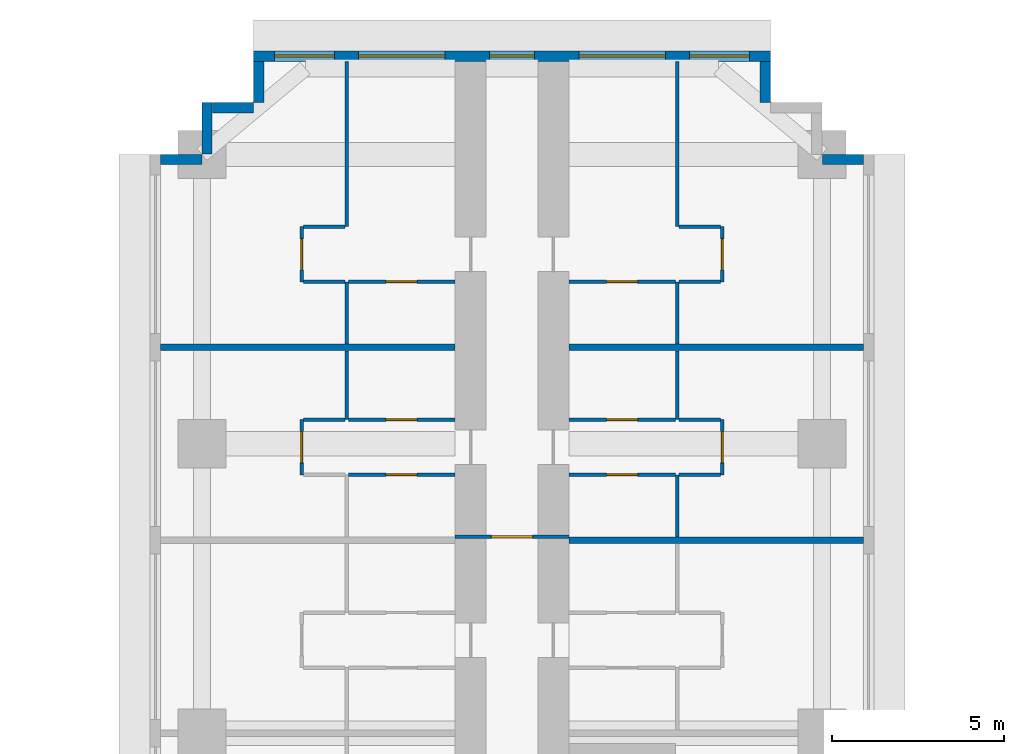
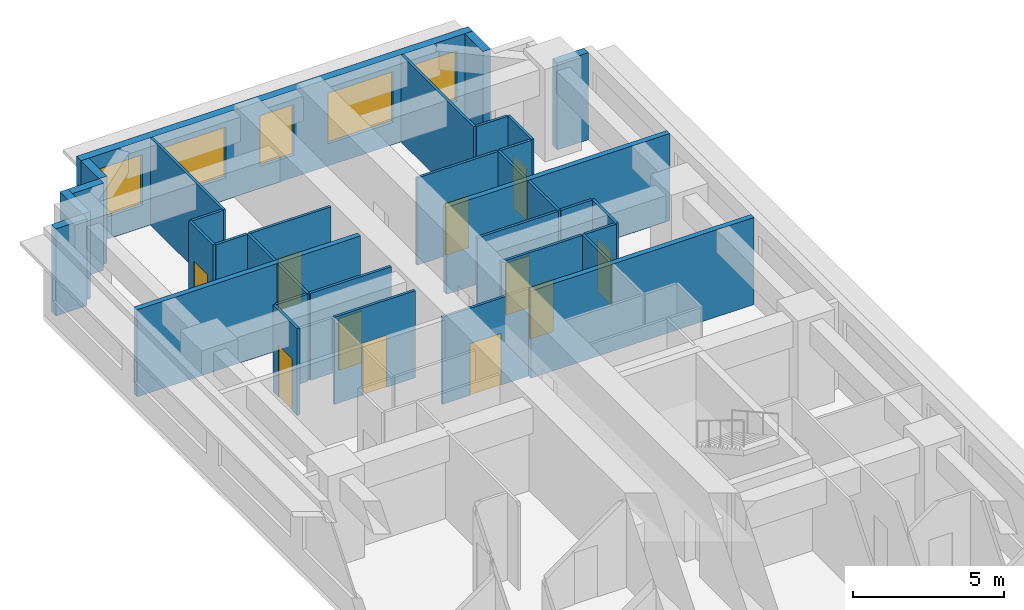
# One storey, part 14 of 16: 35 walls, 11 doors, 5 windows, 16 openings.
"""IFC4 building model written with IfcOpenShell, lengths in metres."""

from ifc_helpers import new_model, si_unit, direction, frame, frame_2d, origin, place, context, subcontext, project, spatial, rectangle, extrude, material, layer, layer_set, type_object, element, fill, save


model = new_model("IFC4")

# Units and contexts
model_context = context("Model", 3, precision=1e-05, world=origin(), true_north=direction((0.0, 1.0)))
body_context = subcontext(model_context, "Body", "Model", "MODEL_VIEW")
ifc_project = project(units=[si_unit("LENGTHUNIT", "METRE"), si_unit("AREAUNIT", "SQUARE_METRE"), si_unit("VOLUMEUNIT", "CUBIC_METRE"), si_unit("PLANEANGLEUNIT", "RADIAN"), si_unit("MASSUNIT", "GRAM", prefix="KILO")], contexts=[model_context])

# Site, building, storey
site_placement = place(None, origin())
site = spatial("IfcSite", under=ifc_project, at=site_placement, CompositionType="ELEMENT")
building_placement = place(site_placement, origin())
building = spatial("IfcBuilding", under=site, at=building_placement, Name="Impinga Residences", CompositionType="ELEMENT")
storey_placement = place(building_placement, frame((0.0, 0.0, 56.0)))
storey = spatial("IfcBuildingStorey", under=building, at=storey_placement, Name="L13", CompositionType="ELEMENT", Elevation=56.0)

# Wall, opening, door
ifc_material_1 = material(Name="Concrete blockwork", Category="masonry")
ifc_layer_1 = layer(ifc_material_1, 0.10009765625)
ifc_layer_set_1 = layer_set([ifc_layer_1], Name="CP1 core room partition, blockwork 100")
wall_type_1 = type_object("IfcWallType", Name="CP1 core room partition, blockwork 100", PredefinedType="PARTITIONING", material=ifc_layer_set_1)
wall_1_placement = place(storey_placement, frame((-1.64990234375, 33.93798828125, 0.0), z_axis=(0.0, 0.0, 1.0), x_axis=(1.0, 0.0, 0.0)))
wall_1 = element("IfcWall", 1, at=wall_1_placement, inside=storey, type_object=wall_type_1, Name="Core room partition, blockwork L13:N:SCR", PredefinedType="PARTITIONING", context=body_context, shape_type="SweptSolid", body=[
    extrude(rectangle(XDim=3.2998046875, YDim=0.10009765625, at=frame_2d((1.64990234375, 0.0))), origin(), (0.0, 0.0, 1.0), 3.530029296875),
])
opening_1_placement = place(wall_1_placement, frame((1.050048828125, 0.0, 0.0)))
opening_1 = element("IfcOpeningElement", 2, at=opening_1_placement, cuts=wall_1, Name="Opening D3", PredefinedType="OPENING", context=body_context, shape_type="SweptSolid", body=[
    extrude(rectangle(XDim=1.199951171875, YDim=2.10009765625, at=frame_2d((0.60009765625, 1.050048828125))), frame((0.0, 0.06005859375, 0.0), z_axis=(0.0, -1.0, 0.0), x_axis=(1.0, 0.0, 0.0)), (0.0, 0.0, 1.0), 0.1201171875),
])
ifc_material_2 = material(Name="Timber door set", Category="wood")
door_type_1 = type_object("IfcDoorType", Name="D3 room door, leaf and a half 1200x2100", OperationType="DOUBLE_SWING_LEFT", PredefinedType="DOOR", material=ifc_material_2)
door_1_placement = place(opening_1_placement, origin())
door_1 = element("IfcDoor", 3, at=door_1_placement, inside=storey, type_object=door_type_1, Name="Corridor smoke door N", OperationType="DOUBLE_SWING_LEFT", OverallHeight=2.10009765625, OverallWidth=1.199951171875, PredefinedType="DOOR", context=body_context, shape_type="SweptSolid", body=[
    extrude(rectangle(XDim=1.199951171875, YDim=2.10009765625, at=frame_2d((0.60009765625, 1.050048828125))), frame((0.0, 0.02490234375, 0.0), z_axis=(0.0, -1.0, 0.0), x_axis=(1.0, 0.0, 0.0)), (0.0, 0.0, 1.0), 0.050048828125),
])
fill(opening_1, door_1)

# Walls
ifc_material_3 = material(Name="Terracotta rainscreen on blockwork", Category="masonry")
ifc_layer_2 = layer(ifc_material_3, 0.300048828125)
ifc_layer_set_2 = layer_set([ifc_layer_2], Name="EW1 external wall, terracotta rainscreen on blockwork 300")
wall_type_2 = type_object("IfcWallType", Name="EW1 external wall, terracotta rainscreen on blockwork 300", PredefinedType="SOLIDWALL", material=ifc_layer_set_2)
wall_2_placement = place(storey_placement, frame((-10.199951171875, 44.881591796875, 0.0), z_axis=(0.0, 0.0, 1.0), x_axis=(1.0, 0.0, 0.0)))
element("IfcWall", 4, at=wall_2_placement, inside=storey, type_object=wall_type_2, Name="External wall EW1 L13", PredefinedType="SOLIDWALL", context=body_context, shape_type="SweptSolid", body=[
    extrude(rectangle(XDim=1.199951171875, YDim=0.300048828125, at=frame_2d((0.60009765625, 0.0))), origin(), (0.0, 0.0, 1.0), 3.530029296875),
])
wall_3_placement = place(storey_placement, frame((-8.85009765625, 45.03662109375, 0.0), z_axis=(0.0, 0.0, 1.0), x_axis=(0.0, 1.0, 0.0)))
element("IfcWall", 5, at=wall_3_placement, inside=storey, type_object=wall_type_2, Name="External wall EW1 L13", PredefinedType="SOLIDWALL", context=body_context, shape_type="SweptSolid", body=[
    extrude(rectangle(XDim=1.494873046875, YDim=0.300048828125, at=frame_2d((0.74755859375, 0.0))), origin(), (0.0, 0.0, 1.0), 3.530029296875),
])
wall_4_placement = place(storey_placement, frame((-8.699951171875, 46.381591796875, 0.0), z_axis=(0.0, 0.0, 1.0), x_axis=(1.0, 0.0, 0.0)))
element("IfcWall", 6, at=wall_4_placement, inside=storey, type_object=wall_type_2, Name="External wall EW1 L13", PredefinedType="SOLIDWALL", context=body_context, shape_type="SweptSolid", body=[
    extrude(rectangle(XDim=1.199951171875, YDim=0.300048828125, at=frame_2d((0.60009765625, 0.0))), origin(), (0.0, 0.0, 1.0), 3.530029296875),
])
wall_5_placement = place(storey_placement, frame((-7.35009765625, 46.53662109375, 0.0), z_axis=(0.0, 0.0, 1.0), x_axis=(0.0, 1.0, 0.0)))
element("IfcWall", 7, at=wall_5_placement, inside=storey, type_object=wall_type_2, Name="External wall EW1 L13", PredefinedType="SOLIDWALL", context=body_context, shape_type="SweptSolid", body=[
    extrude(rectangle(XDim=1.19482421875, YDim=0.300048828125, at=frame_2d((0.597412109375, 0.0))), origin(), (0.0, 0.0, 1.0), 3.530029296875),
])

# Wall, openings, windows
wall_6_placement = place(storey_placement, frame((-7.5, 47.881591796875, 0.0), z_axis=(0.0, 0.0, 1.0), x_axis=(1.0, 0.0, 0.0)))
wall_6 = element("IfcWall", 8, at=wall_6_placement, inside=storey, type_object=wall_type_2, Name="External wall EW1 L13", PredefinedType="SOLIDWALL", context=body_context, shape_type="SweptSolid", body=[
    extrude(rectangle(XDim=15.0, YDim=0.300048828125, at=frame_2d((7.5, 0.0))), origin(), (0.0, 0.0, 1.0), 3.530029296875),
])
opening_2_placement = place(wall_6_placement, frame((0.60009765625, 0.0, 0.89990234375)))
opening_2 = element("IfcOpeningElement", 9, at=opening_2_placement, cuts=wall_6, Name="Opening W1", PredefinedType="OPENING", context=body_context, shape_type="SweptSolid", body=[
    extrude(rectangle(XDim=1.75, YDim=2.050048828125, at=frame_2d((0.875, 1.02490234375))), frame((0.0, 0.159912109375, 0.0), z_axis=(0.0, -1.0, 0.0), x_axis=(1.0, 0.0, 0.0)), (0.0, 0.0, 1.0), 0.320068359375),
])
opening_3_placement = place(wall_6_placement, frame((3.050048828125, 0.0, 0.89990234375)))
opening_3 = element("IfcOpeningElement", 10, at=opening_3_placement, cuts=wall_6, Name="Opening W2", PredefinedType="OPENING", context=body_context, shape_type="SweptSolid", body=[
    extrude(rectangle(XDim=2.5, YDim=2.050048828125, at=frame_2d((1.25, 1.02490234375))), frame((0.0, 0.159912109375, 0.0), z_axis=(0.0, -1.0, 0.0), x_axis=(1.0, 0.0, 0.0)), (0.0, 0.0, 1.0), 0.320068359375),
])
opening_4_placement = place(wall_6_placement, frame((6.85009765625, 0.0, 0.89990234375)))
opening_4 = element("IfcOpeningElement", 11, at=opening_4_placement, cuts=wall_6, Name="Opening WE1", PredefinedType="OPENING", context=body_context, shape_type="SweptSolid", body=[
    extrude(rectangle(XDim=1.300048828125, YDim=2.050048828125, at=frame_2d((0.64990234375, 1.02490234375))), frame((0.0, 0.159912109375, 0.0), z_axis=(0.0, -1.0, 0.0), x_axis=(1.0, 0.0, 0.0)), (0.0, 0.0, 1.0), 0.320068359375),
])
opening_5_placement = place(wall_6_placement, frame((9.449951171875, 0.0, 0.89990234375)))
opening_5 = element("IfcOpeningElement", 12, at=opening_5_placement, cuts=wall_6, Name="Opening W2", PredefinedType="OPENING", context=body_context, shape_type="SweptSolid", body=[
    extrude(rectangle(XDim=2.5, YDim=2.050048828125, at=frame_2d((1.25, 1.02490234375))), frame((0.0, 0.159912109375, 0.0), z_axis=(0.0, -1.0, 0.0), x_axis=(1.0, 0.0, 0.0)), (0.0, 0.0, 1.0), 0.320068359375),
])
opening_6_placement = place(wall_6_placement, frame((12.64990234375, 0.0, 0.89990234375)))
opening_6 = element("IfcOpeningElement", 13, at=opening_6_placement, cuts=wall_6, Name="Opening W1", PredefinedType="OPENING", context=body_context, shape_type="SweptSolid", body=[
    extrude(rectangle(XDim=1.75, YDim=2.050048828125, at=frame_2d((0.875, 1.02490234375))), frame((0.0, 0.159912109375, 0.0), z_axis=(0.0, -1.0, 0.0), x_axis=(1.0, 0.0, 0.0)), (0.0, 0.0, 1.0), 0.320068359375),
])
ifc_material_4 = material(Name="Aluminium window, clear double glazing", Category="aluminium")
window_type_1 = type_object("IfcWindowType", Name="W1 ribbon window 1750x2050", PartitioningType="SINGLE_PANEL", PredefinedType="WINDOW", material=ifc_material_4)
window_1_placement = place(opening_2_placement, origin())
window_1 = element("IfcWindow", 14, at=window_1_placement, inside=storey, type_object=window_type_1, Name="Window L13", OverallHeight=2.050048828125, OverallWidth=1.75, PartitioningType="SINGLE_PANEL", PredefinedType="WINDOW", context=body_context, shape_type="SweptSolid", body=[
    extrude(rectangle(XDim=1.75, YDim=2.050048828125, at=frame_2d((0.875, 1.02490234375))), frame((0.0, 0.030029296875, 0.0), z_axis=(0.0, -1.0, 0.0), x_axis=(1.0, 0.0, 0.0)), (0.0, 0.0, 1.0), 0.06005859375),
])
fill(opening_2, window_1)
window_2_placement = place(opening_6_placement, origin())
window_2 = element("IfcWindow", 15, at=window_2_placement, inside=storey, type_object=window_type_1, Name="Window L13", OverallHeight=2.050048828125, OverallWidth=1.75, PartitioningType="SINGLE_PANEL", PredefinedType="WINDOW", context=body_context, shape_type="SweptSolid", body=[
    extrude(rectangle(XDim=1.75, YDim=2.050048828125, at=frame_2d((0.875, 1.02490234375))), frame((0.0, 0.030029296875, 0.0), z_axis=(0.0, -1.0, 0.0), x_axis=(1.0, 0.0, 0.0)), (0.0, 0.0, 1.0), 0.06005859375),
])
fill(opening_6, window_2)
window_type_2 = type_object("IfcWindowType", Name="W2 ribbon window 2500x2050", PartitioningType="SINGLE_PANEL", PredefinedType="WINDOW", material=ifc_material_4)
window_3_placement = place(opening_3_placement, origin())
window_3 = element("IfcWindow", 16, at=window_3_placement, inside=storey, type_object=window_type_2, Name="Window L13", OverallHeight=2.050048828125, OverallWidth=2.5, PartitioningType="SINGLE_PANEL", PredefinedType="WINDOW", context=body_context, shape_type="SweptSolid", body=[
    extrude(rectangle(XDim=2.5, YDim=2.050048828125, at=frame_2d((1.25, 1.02490234375))), frame((0.0, 0.030029296875, 0.0), z_axis=(0.0, -1.0, 0.0), x_axis=(1.0, 0.0, 0.0)), (0.0, 0.0, 1.0), 0.06005859375),
])
fill(opening_3, window_3)
window_4_placement = place(opening_5_placement, origin())
window_4 = element("IfcWindow", 17, at=window_4_placement, inside=storey, type_object=window_type_2, Name="Window L13", OverallHeight=2.050048828125, OverallWidth=2.5, PartitioningType="SINGLE_PANEL", PredefinedType="WINDOW", context=body_context, shape_type="SweptSolid", body=[
    extrude(rectangle(XDim=2.5, YDim=2.050048828125, at=frame_2d((1.25, 1.02490234375))), frame((0.0, 0.030029296875, 0.0), z_axis=(0.0, -1.0, 0.0), x_axis=(1.0, 0.0, 0.0)), (0.0, 0.0, 1.0), 0.06005859375),
])
fill(opening_5, window_4)
window_type_3 = type_object("IfcWindowType", Name="WE1 corridor window 1300x2050", PartitioningType="SINGLE_PANEL", PredefinedType="WINDOW", material=ifc_material_4)
window_5_placement = place(opening_4_placement, origin())
window_5 = element("IfcWindow", 18, at=window_5_placement, inside=storey, type_object=window_type_3, Name="Window L13", OverallHeight=2.050048828125, OverallWidth=1.300048828125, PartitioningType="SINGLE_PANEL", PredefinedType="WINDOW", context=body_context, shape_type="SweptSolid", body=[
    extrude(rectangle(XDim=1.300048828125, YDim=2.050048828125, at=frame_2d((0.64990234375, 1.02490234375))), frame((0.0, 0.030029296875, 0.0), z_axis=(0.0, -1.0, 0.0), x_axis=(1.0, 0.0, 0.0)), (0.0, 0.0, 1.0), 0.06005859375),
])
fill(opening_4, window_5)

# Walls
wall_7_placement = place(storey_placement, frame((7.35009765625, 47.7314453125, 0.0), z_axis=(0.0, 0.0, 1.0), x_axis=(0.0, -1.0, 0.0)))
element("IfcWall", 19, at=wall_7_placement, inside=storey, type_object=wall_type_2, Name="External wall EW1 L13", PredefinedType="SOLIDWALL", context=body_context, shape_type="SweptSolid", body=[
    extrude(rectangle(XDim=1.19482421875, YDim=0.300048828125, at=frame_2d((0.597412109375, 0.0))), origin(), (0.0, 0.0, 1.0), 3.530029296875),
])
wall_8_placement = place(storey_placement, frame((9.0048828125, 44.881591796875, 0.0), z_axis=(0.0, 0.0, 1.0), x_axis=(1.0, 0.0, 0.0)))
element("IfcWall", 20, at=wall_8_placement, inside=storey, type_object=wall_type_2, Name="External wall EW1 L13", PredefinedType="SOLIDWALL", context=body_context, shape_type="SweptSolid", body=[
    extrude(rectangle(XDim=1.195068359375, YDim=0.300048828125, at=frame_2d((0.59765625, 0.0))), origin(), (0.0, 0.0, 1.0), 3.530029296875),
])
ifc_material_5 = material(Name="Gypsum board on steel studs", Category="steel")
ifc_layer_3 = layer(ifc_material_5, 0.10009765625)
ifc_layer_set_3 = layer_set([ifc_layer_3], Name="Gypsum board on steel studs")
wall_type_3 = type_object("IfcWallType", Name="IP1 partition 100", PredefinedType="PARTITIONING", material=ifc_layer_set_3)
wall_9_placement = place(storey_placement, frame((-4.800048828125, 37.33154296875, 0.0), z_axis=(0.0, 0.0, 1.0), x_axis=(0.0, 1.0, 0.0)))
element("IfcWall", 21, at=wall_9_placement, inside=storey, type_object=wall_type_3, Name="Partition L13-NA4:DIV1", PredefinedType="PARTITIONING", context=body_context, shape_type="SweptSolid", body=[
    extrude(rectangle(XDim=2.0, YDim=0.10009765625, at=frame_2d((1.0, 0.0))), origin(), (0.0, 0.0, 1.0), 3.530029296875),
])

# Wall, opening, door
wall_10_placement = place(storey_placement, frame((-6.10009765625, 35.7314453125, 0.0), z_axis=(0.0, 0.0, 1.0), x_axis=(0.0, 1.0, 0.0)))
wall_10 = element("IfcWall", 22, at=wall_10_placement, inside=storey, type_object=wall_type_3, Name="Partition L13-NA4:STRIP", PredefinedType="PARTITIONING", context=body_context, shape_type="SweptSolid", body=[
    extrude(rectangle(XDim=1.60009765625, YDim=0.10009765625, at=frame_2d((0.800048828125, 0.0))), origin(), (0.0, 0.0, 1.0), 3.530029296875),
])
opening_7_placement = place(wall_10_placement, frame((0.35009765625, 0.0, 0.0)))
opening_7 = element("IfcOpeningElement", 23, at=opening_7_placement, cuts=wall_10, Name="Opening D2", PredefinedType="OPENING", context=body_context, shape_type="SweptSolid", body=[
    extrude(rectangle(XDim=0.89990234375, YDim=2.10009765625, at=frame_2d((0.449951171875, 1.050048828125))), frame((0.0, 0.06005859375, 0.0), z_axis=(0.0, -1.0, 0.0), x_axis=(1.0, 0.0, 0.0)), (0.0, 0.0, 1.0), 0.1201171875),
])
door_type_2 = type_object("IfcDoorType", Name="D2 internal door 900x2100", OperationType="SINGLE_SWING_LEFT", PredefinedType="DOOR", material=ifc_material_2)
door_2_placement = place(opening_7_placement, origin())
door_2 = element("IfcDoor", 24, at=door_2_placement, inside=storey, type_object=door_type_2, Name="Apartment L13-NA4 room door", OperationType="SINGLE_SWING_LEFT", OverallHeight=2.10009765625, OverallWidth=0.89990234375, PredefinedType="DOOR", context=body_context, shape_type="SweptSolid", body=[
    extrude(rectangle(XDim=0.89990234375, YDim=2.10009765625, at=frame_2d((0.449951171875, 1.050048828125))), frame((0.0, 0.02490234375, 0.0), z_axis=(0.0, -1.0, 0.0), x_axis=(1.0, 0.0, 0.0)), (0.0, 0.0, 1.0), 0.050048828125),
])
fill(opening_7, door_2)

# Wall
wall_11_placement = place(storey_placement, frame((-4.85009765625, 37.33154296875, 0.0), z_axis=(0.0, 0.0, 1.0), x_axis=(-1.0, 0.0, 0.0)))
element("IfcWall", 25, at=wall_11_placement, inside=storey, type_object=wall_type_3, Name="Partition L13-NA4:SE1", PredefinedType="PARTITIONING", context=body_context, shape_type="SweptSolid", body=[
    extrude(rectangle(XDim=1.199951171875, YDim=0.10009765625, at=frame_2d((0.60009765625, 0.0))), origin(), (0.0, 0.0, 1.0), 3.530029296875),
])

# Wall, opening, door
wall_12_placement = place(storey_placement, frame((-1.64990234375, 35.7314453125, 0.0), z_axis=(0.0, 0.0, 1.0), x_axis=(-1.0, 0.0, 0.0)))
wall_12 = element("IfcWall", 26, at=wall_12_placement, inside=storey, type_object=wall_type_3, Name="Partition L13-NA4:IB1", PredefinedType="PARTITIONING", context=body_context, shape_type="SweptSolid", body=[
    extrude(rectangle(XDim=3.10009765625, YDim=0.10009765625, at=frame_2d((1.550048828125, 0.0))), origin(), (0.0, 0.0, 1.0), 3.530029296875),
])
opening_8_placement = place(wall_12_placement, frame((1.10009765625, 0.0, 0.0)))
opening_8 = element("IfcOpeningElement", 27, at=opening_8_placement, cuts=wall_12, Name="Opening D2", PredefinedType="OPENING", context=body_context, shape_type="SweptSolid", body=[
    extrude(rectangle(XDim=0.89990234375, YDim=2.10009765625, at=frame_2d((0.449951171875, 1.050048828125))), frame((0.0, 0.06005859375, 0.0), z_axis=(0.0, -1.0, 0.0), x_axis=(1.0, 0.0, 0.0)), (0.0, 0.0, 1.0), 0.1201171875),
])
door_3_placement = place(opening_8_placement, origin())
door_3 = element("IfcDoor", 28, at=door_3_placement, inside=storey, type_object=door_type_2, Name="Apartment L13-NA4 bathroom door", OperationType="SINGLE_SWING_LEFT", OverallHeight=2.10009765625, OverallWidth=0.89990234375, PredefinedType="DOOR", context=body_context, shape_type="SweptSolid", body=[
    extrude(rectangle(XDim=0.89990234375, YDim=2.10009765625, at=frame_2d((0.449951171875, 1.050048828125))), frame((0.0, 0.02490234375, 0.0), z_axis=(0.0, -1.0, 0.0), x_axis=(1.0, 0.0, 0.0)), (0.0, 0.0, 1.0), 0.050048828125),
])
fill(opening_8, door_3)

wall_13_placement = place(storey_placement, frame((-1.64990234375, 37.33154296875, 0.0), z_axis=(0.0, 0.0, 1.0), x_axis=(-1.0, 0.0, 0.0)))
wall_13 = element("IfcWall", 29, at=wall_13_placement, inside=storey, type_object=wall_type_3, Name="Partition L13-NA4:IB2", PredefinedType="PARTITIONING", context=body_context, shape_type="SweptSolid", body=[
    extrude(rectangle(XDim=3.10009765625, YDim=0.10009765625, at=frame_2d((1.550048828125, 0.0))), origin(), (0.0, 0.0, 1.0), 3.530029296875),
])
opening_9_placement = place(wall_13_placement, frame((1.10009765625, 0.0, 0.0)))
opening_9 = element("IfcOpeningElement", 30, at=opening_9_placement, cuts=wall_13, Name="Opening D2", PredefinedType="OPENING", context=body_context, shape_type="SweptSolid", body=[
    extrude(rectangle(XDim=0.89990234375, YDim=2.10009765625, at=frame_2d((0.449951171875, 1.050048828125))), frame((0.0, 0.06005859375, 0.0), z_axis=(0.0, -1.0, 0.0), x_axis=(1.0, 0.0, 0.0)), (0.0, 0.0, 1.0), 0.1201171875),
])
door_4_placement = place(opening_9_placement, origin())
door_4 = element("IfcDoor", 31, at=door_4_placement, inside=storey, type_object=door_type_2, Name="Apartment L13-NA4 WC door", OperationType="SINGLE_SWING_LEFT", OverallHeight=2.10009765625, OverallWidth=0.89990234375, PredefinedType="DOOR", context=body_context, shape_type="SweptSolid", body=[
    extrude(rectangle(XDim=0.89990234375, YDim=2.10009765625, at=frame_2d((0.449951171875, 1.050048828125))), frame((0.0, 0.02490234375, 0.0), z_axis=(0.0, -1.0, 0.0), x_axis=(1.0, 0.0, 0.0)), (0.0, 0.0, 1.0), 0.050048828125),
])
fill(opening_9, door_4)

# Walls
wall_14_placement = place(storey_placement, frame((-4.800048828125, 39.531494140625, 0.0), z_axis=(0.0, 0.0, 1.0), x_axis=(0.0, 1.0, 0.0)))
element("IfcWall", 32, at=wall_14_placement, inside=storey, type_object=wall_type_3, Name="Partition L13-NA5:DIV0", PredefinedType="PARTITIONING", context=body_context, shape_type="SweptSolid", body=[
    extrude(rectangle(XDim=1.800048828125, YDim=0.10009765625, at=frame_2d((0.89990234375, 0.0))), origin(), (0.0, 0.0, 1.0), 3.530029296875),
])
wall_15_placement = place(storey_placement, frame((-4.800048828125, 42.931640625, 0.0), z_axis=(0.0, 0.0, 1.0), x_axis=(0.0, 1.0, 0.0)))
element("IfcWall", 33, at=wall_15_placement, inside=storey, type_object=wall_type_3, Name="Partition L13-NA5:DIV1", PredefinedType="PARTITIONING", context=body_context, shape_type="SweptSolid", body=[
    extrude(rectangle(XDim=4.7998046875, YDim=0.10009765625, at=frame_2d((2.39990234375, 0.0))), origin(), (0.0, 0.0, 1.0), 3.530029296875),
])

# Wall, opening, door
wall_16_placement = place(storey_placement, frame((-6.10009765625, 41.33154296875, 0.0), z_axis=(0.0, 0.0, 1.0), x_axis=(0.0, 1.0, 0.0)))
wall_16 = element("IfcWall", 34, at=wall_16_placement, inside=storey, type_object=wall_type_3, Name="Partition L13-NA5:STRIP", PredefinedType="PARTITIONING", context=body_context, shape_type="SweptSolid", body=[
    extrude(rectangle(XDim=1.60009765625, YDim=0.10009765625, at=frame_2d((0.800048828125, 0.0))), origin(), (0.0, 0.0, 1.0), 3.530029296875),
])
opening_10_placement = place(wall_16_placement, frame((0.35009765625, 0.0, 0.0)))
opening_10 = element("IfcOpeningElement", 35, at=opening_10_placement, cuts=wall_16, Name="Opening D2", PredefinedType="OPENING", context=body_context, shape_type="SweptSolid", body=[
    extrude(rectangle(XDim=0.89990234375, YDim=2.10009765625, at=frame_2d((0.449951171875, 1.050048828125))), frame((0.0, 0.06005859375, 0.0), z_axis=(0.0, -1.0, 0.0), x_axis=(1.0, 0.0, 0.0)), (0.0, 0.0, 1.0), 0.1201171875),
])
door_5_placement = place(opening_10_placement, origin())
door_5 = element("IfcDoor", 36, at=door_5_placement, inside=storey, type_object=door_type_2, Name="Apartment L13-NA5 room door", OperationType="SINGLE_SWING_LEFT", OverallHeight=2.10009765625, OverallWidth=0.89990234375, PredefinedType="DOOR", context=body_context, shape_type="SweptSolid", body=[
    extrude(rectangle(XDim=0.89990234375, YDim=2.10009765625, at=frame_2d((0.449951171875, 1.050048828125))), frame((0.0, 0.02490234375, 0.0), z_axis=(0.0, -1.0, 0.0), x_axis=(1.0, 0.0, 0.0)), (0.0, 0.0, 1.0), 0.050048828125),
])
fill(opening_10, door_5)

# Walls
for number, where, z_axis, x_axis, name in (
    (37, (-4.85009765625, 41.33154296875, 0.0), (0.0, 0.0, 1.0), (-1.0, 0.0, 0.0), "Partition L13-NA5:SE0"),
    (38, (-4.85009765625, 42.931640625, 0.0), (0.0, 0.0, 1.0), (-1.0, 0.0, 0.0), "Partition L13-NA5:SE1"),
):
    element("IfcWall", number, at=place(storey_placement, frame(where, z_axis=z_axis, x_axis=x_axis)), inside=storey, type_object=wall_type_3, Name=name, PredefinedType="PARTITIONING", context=body_context, shape_type="SweptSolid", body=[
        extrude(rectangle(XDim=1.199951171875, YDim=0.10009765625, at=frame_2d((0.60009765625, 0.0))), origin(), (0.0, 0.0, 1.0), 3.530029296875),
    ])

# Wall, opening, door
wall_17_placement = place(storey_placement, frame((-1.64990234375, 41.33154296875, 0.0), z_axis=(0.0, 0.0, 1.0), x_axis=(-1.0, 0.0, 0.0)))
wall_17 = element("IfcWall", 39, at=wall_17_placement, inside=storey, type_object=wall_type_3, Name="Partition L13-NA5:IB1", PredefinedType="PARTITIONING", context=body_context, shape_type="SweptSolid", body=[
    extrude(rectangle(XDim=3.10009765625, YDim=0.10009765625, at=frame_2d((1.550048828125, 0.0))), origin(), (0.0, 0.0, 1.0), 3.530029296875),
])
opening_11_placement = place(wall_17_placement, frame((1.10009765625, 0.0, 0.0)))
opening_11 = element("IfcOpeningElement", 40, at=opening_11_placement, cuts=wall_17, Name="Opening D2", PredefinedType="OPENING", context=body_context, shape_type="SweptSolid", body=[
    extrude(rectangle(XDim=0.89990234375, YDim=2.10009765625, at=frame_2d((0.449951171875, 1.050048828125))), frame((0.0, 0.06005859375, 0.0), z_axis=(0.0, -1.0, 0.0), x_axis=(1.0, 0.0, 0.0)), (0.0, 0.0, 1.0), 0.1201171875),
])
door_6_placement = place(opening_11_placement, origin())
door_6 = element("IfcDoor", 41, at=door_6_placement, inside=storey, type_object=door_type_2, Name="Apartment L13-NA5 bathroom door", OperationType="SINGLE_SWING_LEFT", OverallHeight=2.10009765625, OverallWidth=0.89990234375, PredefinedType="DOOR", context=body_context, shape_type="SweptSolid", body=[
    extrude(rectangle(XDim=0.89990234375, YDim=2.10009765625, at=frame_2d((0.449951171875, 1.050048828125))), frame((0.0, 0.02490234375, 0.0), z_axis=(0.0, -1.0, 0.0), x_axis=(1.0, 0.0, 0.0)), (0.0, 0.0, 1.0), 0.050048828125),
])
fill(opening_11, door_6)

# Walls
wall_18_placement = place(storey_placement, frame((4.800048828125, 33.931640625, 0.0), z_axis=(0.0, 0.0, 1.0), x_axis=(0.0, 1.0, 0.0)))
element("IfcWall", 42, at=wall_18_placement, inside=storey, type_object=wall_type_3, Name="Partition L13-NF3:DIV0", PredefinedType="PARTITIONING", context=body_context, shape_type="SweptSolid", body=[
    extrude(rectangle(XDim=1.7998046875, YDim=0.10009765625, at=frame_2d((0.89990234375, 0.0))), origin(), (0.0, 0.0, 1.0), 3.530029296875),
])
wall_19_placement = place(storey_placement, frame((4.800048828125, 37.33154296875, 0.0), z_axis=(0.0, 0.0, 1.0), x_axis=(0.0, 1.0, 0.0)))
element("IfcWall", 43, at=wall_19_placement, inside=storey, type_object=wall_type_3, Name="Partition L13-NF3:DIV1", PredefinedType="PARTITIONING", context=body_context, shape_type="SweptSolid", body=[
    extrude(rectangle(XDim=2.0, YDim=0.10009765625, at=frame_2d((1.0, 0.0))), origin(), (0.0, 0.0, 1.0), 3.530029296875),
])

# Wall, opening, door
wall_20_placement = place(storey_placement, frame((6.10009765625, 35.7314453125, 0.0), z_axis=(0.0, 0.0, 1.0), x_axis=(0.0, 1.0, 0.0)))
wall_20 = element("IfcWall", 44, at=wall_20_placement, inside=storey, type_object=wall_type_3, Name="Partition L13-NF3:STRIP", PredefinedType="PARTITIONING", context=body_context, shape_type="SweptSolid", body=[
    extrude(rectangle(XDim=1.60009765625, YDim=0.10009765625, at=frame_2d((0.800048828125, 0.0))), origin(), (0.0, 0.0, 1.0), 3.530029296875),
])
opening_12_placement = place(wall_20_placement, frame((0.35009765625, 0.0, 0.0)))
opening_12 = element("IfcOpeningElement", 45, at=opening_12_placement, cuts=wall_20, Name="Opening D2", PredefinedType="OPENING", context=body_context, shape_type="SweptSolid", body=[
    extrude(rectangle(XDim=0.89990234375, YDim=2.10009765625, at=frame_2d((0.449951171875, 1.050048828125))), frame((0.0, 0.06005859375, 0.0), z_axis=(0.0, -1.0, 0.0), x_axis=(1.0, 0.0, 0.0)), (0.0, 0.0, 1.0), 0.1201171875),
])
door_7_placement = place(opening_12_placement, origin())
door_7 = element("IfcDoor", 46, at=door_7_placement, inside=storey, type_object=door_type_2, Name="Apartment L13-NF3 room door", OperationType="SINGLE_SWING_LEFT", OverallHeight=2.10009765625, OverallWidth=0.89990234375, PredefinedType="DOOR", context=body_context, shape_type="SweptSolid", body=[
    extrude(rectangle(XDim=0.89990234375, YDim=2.10009765625, at=frame_2d((0.449951171875, 1.050048828125))), frame((0.0, 0.02490234375, 0.0), z_axis=(0.0, -1.0, 0.0), x_axis=(1.0, 0.0, 0.0)), (0.0, 0.0, 1.0), 0.050048828125),
])
fill(opening_12, door_7)

# Walls
for number, where, z_axis, x_axis, name in (
    (47, (4.85009765625, 35.7314453125, 0.0), (0.0, 0.0, 1.0), (1.0, 0.0, 0.0), "Partition L13-NF3:SE0"),
    (48, (4.85009765625, 37.33154296875, 0.0), (0.0, 0.0, 1.0), (1.0, 0.0, 0.0), "Partition L13-NF3:SE1"),
):
    element("IfcWall", number, at=place(storey_placement, frame(where, z_axis=z_axis, x_axis=x_axis)), inside=storey, type_object=wall_type_3, Name=name, PredefinedType="PARTITIONING", context=body_context, shape_type="SweptSolid", body=[
        extrude(rectangle(XDim=1.199951171875, YDim=0.10009765625, at=frame_2d((0.60009765625, 0.0))), origin(), (0.0, 0.0, 1.0), 3.530029296875),
    ])

# Wall, opening, door
wall_21_placement = place(storey_placement, frame((1.64990234375, 35.7314453125, 0.0), z_axis=(0.0, 0.0, 1.0), x_axis=(1.0, 0.0, 0.0)))
wall_21 = element("IfcWall", 49, at=wall_21_placement, inside=storey, type_object=wall_type_3, Name="Partition L13-NF3:IB1", PredefinedType="PARTITIONING", context=body_context, shape_type="SweptSolid", body=[
    extrude(rectangle(XDim=3.10009765625, YDim=0.10009765625, at=frame_2d((1.550048828125, 0.0))), origin(), (0.0, 0.0, 1.0), 3.530029296875),
])
opening_13_placement = place(wall_21_placement, frame((1.10009765625, 0.0, 0.0)))
opening_13 = element("IfcOpeningElement", 50, at=opening_13_placement, cuts=wall_21, Name="Opening D2", PredefinedType="OPENING", context=body_context, shape_type="SweptSolid", body=[
    extrude(rectangle(XDim=0.89990234375, YDim=2.10009765625, at=frame_2d((0.449951171875, 1.050048828125))), frame((0.0, 0.06005859375, 0.0), z_axis=(0.0, -1.0, 0.0), x_axis=(1.0, 0.0, 0.0)), (0.0, 0.0, 1.0), 0.1201171875),
])
door_8_placement = place(opening_13_placement, origin())
door_8 = element("IfcDoor", 51, at=door_8_placement, inside=storey, type_object=door_type_2, Name="Apartment L13-NF3 bathroom door", OperationType="SINGLE_SWING_LEFT", OverallHeight=2.10009765625, OverallWidth=0.89990234375, PredefinedType="DOOR", context=body_context, shape_type="SweptSolid", body=[
    extrude(rectangle(XDim=0.89990234375, YDim=2.10009765625, at=frame_2d((0.449951171875, 1.050048828125))), frame((0.0, 0.02490234375, 0.0), z_axis=(0.0, -1.0, 0.0), x_axis=(1.0, 0.0, 0.0)), (0.0, 0.0, 1.0), 0.050048828125),
])
fill(opening_13, door_8)

wall_22_placement = place(storey_placement, frame((1.64990234375, 37.33154296875, 0.0), z_axis=(0.0, 0.0, 1.0), x_axis=(1.0, 0.0, 0.0)))
wall_22 = element("IfcWall", 52, at=wall_22_placement, inside=storey, type_object=wall_type_3, Name="Partition L13-NF3:IB2", PredefinedType="PARTITIONING", context=body_context, shape_type="SweptSolid", body=[
    extrude(rectangle(XDim=3.10009765625, YDim=0.10009765625, at=frame_2d((1.550048828125, 0.0))), origin(), (0.0, 0.0, 1.0), 3.530029296875),
])
opening_14_placement = place(wall_22_placement, frame((1.10009765625, 0.0, 0.0)))
opening_14 = element("IfcOpeningElement", 53, at=opening_14_placement, cuts=wall_22, Name="Opening D2", PredefinedType="OPENING", context=body_context, shape_type="SweptSolid", body=[
    extrude(rectangle(XDim=0.89990234375, YDim=2.10009765625, at=frame_2d((0.449951171875, 1.050048828125))), frame((0.0, 0.06005859375, 0.0), z_axis=(0.0, -1.0, 0.0), x_axis=(1.0, 0.0, 0.0)), (0.0, 0.0, 1.0), 0.1201171875),
])
door_9_placement = place(opening_14_placement, origin())
door_9 = element("IfcDoor", 54, at=door_9_placement, inside=storey, type_object=door_type_2, Name="Apartment L13-NF3 WC door", OperationType="SINGLE_SWING_LEFT", OverallHeight=2.10009765625, OverallWidth=0.89990234375, PredefinedType="DOOR", context=body_context, shape_type="SweptSolid", body=[
    extrude(rectangle(XDim=0.89990234375, YDim=2.10009765625, at=frame_2d((0.449951171875, 1.050048828125))), frame((0.0, 0.02490234375, 0.0), z_axis=(0.0, -1.0, 0.0), x_axis=(1.0, 0.0, 0.0)), (0.0, 0.0, 1.0), 0.050048828125),
])
fill(opening_14, door_9)

# Walls
wall_23_placement = place(storey_placement, frame((4.800048828125, 39.531494140625, 0.0), z_axis=(0.0, 0.0, 1.0), x_axis=(0.0, 1.0, 0.0)))
element("IfcWall", 55, at=wall_23_placement, inside=storey, type_object=wall_type_3, Name="Partition L13-NF4:DIV0", PredefinedType="PARTITIONING", context=body_context, shape_type="SweptSolid", body=[
    extrude(rectangle(XDim=1.800048828125, YDim=0.10009765625, at=frame_2d((0.89990234375, 0.0))), origin(), (0.0, 0.0, 1.0), 3.530029296875),
])
wall_24_placement = place(storey_placement, frame((4.800048828125, 42.931640625, 0.0), z_axis=(0.0, 0.0, 1.0), x_axis=(0.0, 1.0, 0.0)))
element("IfcWall", 56, at=wall_24_placement, inside=storey, type_object=wall_type_3, Name="Partition L13-NF4:DIV1", PredefinedType="PARTITIONING", context=body_context, shape_type="SweptSolid", body=[
    extrude(rectangle(XDim=4.7998046875, YDim=0.10009765625, at=frame_2d((2.39990234375, 0.0))), origin(), (0.0, 0.0, 1.0), 3.530029296875),
])

# Wall, opening, door
wall_25_placement = place(storey_placement, frame((6.10009765625, 41.33154296875, 0.0), z_axis=(0.0, 0.0, 1.0), x_axis=(0.0, 1.0, 0.0)))
wall_25 = element("IfcWall", 57, at=wall_25_placement, inside=storey, type_object=wall_type_3, Name="Partition L13-NF4:STRIP", PredefinedType="PARTITIONING", context=body_context, shape_type="SweptSolid", body=[
    extrude(rectangle(XDim=1.60009765625, YDim=0.10009765625, at=frame_2d((0.800048828125, 0.0))), origin(), (0.0, 0.0, 1.0), 3.530029296875),
])
opening_15_placement = place(wall_25_placement, frame((0.35009765625, 0.0, 0.0)))
opening_15 = element("IfcOpeningElement", 58, at=opening_15_placement, cuts=wall_25, Name="Opening D2", PredefinedType="OPENING", context=body_context, shape_type="SweptSolid", body=[
    extrude(rectangle(XDim=0.89990234375, YDim=2.10009765625, at=frame_2d((0.449951171875, 1.050048828125))), frame((0.0, 0.06005859375, 0.0), z_axis=(0.0, -1.0, 0.0), x_axis=(1.0, 0.0, 0.0)), (0.0, 0.0, 1.0), 0.1201171875),
])
door_10_placement = place(opening_15_placement, origin())
door_10 = element("IfcDoor", 59, at=door_10_placement, inside=storey, type_object=door_type_2, Name="Apartment L13-NF4 room door", OperationType="SINGLE_SWING_LEFT", OverallHeight=2.10009765625, OverallWidth=0.89990234375, PredefinedType="DOOR", context=body_context, shape_type="SweptSolid", body=[
    extrude(rectangle(XDim=0.89990234375, YDim=2.10009765625, at=frame_2d((0.449951171875, 1.050048828125))), frame((0.0, 0.02490234375, 0.0), z_axis=(0.0, -1.0, 0.0), x_axis=(1.0, 0.0, 0.0)), (0.0, 0.0, 1.0), 0.050048828125),
])
fill(opening_15, door_10)

# Walls
for number, where, z_axis, x_axis, name in (
    (60, (4.85009765625, 41.33154296875, 0.0), (0.0, 0.0, 1.0), (1.0, 0.0, 0.0), "Partition L13-NF4:SE0"),
    (61, (4.85009765625, 42.931640625, 0.0), (0.0, 0.0, 1.0), (1.0, 0.0, 0.0), "Partition L13-NF4:SE1"),
):
    element("IfcWall", number, at=place(storey_placement, frame(where, z_axis=z_axis, x_axis=x_axis)), inside=storey, type_object=wall_type_3, Name=name, PredefinedType="PARTITIONING", context=body_context, shape_type="SweptSolid", body=[
        extrude(rectangle(XDim=1.199951171875, YDim=0.10009765625, at=frame_2d((0.60009765625, 0.0))), origin(), (0.0, 0.0, 1.0), 3.530029296875),
    ])

# Wall, opening, door
wall_26_placement = place(storey_placement, frame((1.64990234375, 41.33154296875, 0.0), z_axis=(0.0, 0.0, 1.0), x_axis=(1.0, 0.0, 0.0)))
wall_26 = element("IfcWall", 62, at=wall_26_placement, inside=storey, type_object=wall_type_3, Name="Partition L13-NF4:IB1", PredefinedType="PARTITIONING", context=body_context, shape_type="SweptSolid", body=[
    extrude(rectangle(XDim=3.10009765625, YDim=0.10009765625, at=frame_2d((1.550048828125, 0.0))), origin(), (0.0, 0.0, 1.0), 3.530029296875),
])
opening_16_placement = place(wall_26_placement, frame((1.10009765625, 0.0, 0.0)))
opening_16 = element("IfcOpeningElement", 63, at=opening_16_placement, cuts=wall_26, Name="Opening D2", PredefinedType="OPENING", context=body_context, shape_type="SweptSolid", body=[
    extrude(rectangle(XDim=0.89990234375, YDim=2.10009765625, at=frame_2d((0.449951171875, 1.050048828125))), frame((0.0, 0.06005859375, 0.0), z_axis=(0.0, -1.0, 0.0), x_axis=(1.0, 0.0, 0.0)), (0.0, 0.0, 1.0), 0.1201171875),
])
door_11_placement = place(opening_16_placement, origin())
door_11 = element("IfcDoor", 64, at=door_11_placement, inside=storey, type_object=door_type_2, Name="Apartment L13-NF4 bathroom door", OperationType="SINGLE_SWING_LEFT", OverallHeight=2.10009765625, OverallWidth=0.89990234375, PredefinedType="DOOR", context=body_context, shape_type="SweptSolid", body=[
    extrude(rectangle(XDim=0.89990234375, YDim=2.10009765625, at=frame_2d((0.449951171875, 1.050048828125))), frame((0.0, 0.02490234375, 0.0), z_axis=(0.0, -1.0, 0.0), x_axis=(1.0, 0.0, 0.0)), (0.0, 0.0, 1.0), 0.050048828125),
])
fill(opening_16, door_11)

# Walls
ifc_layer_4 = layer(ifc_material_1, 0.199951171875)
ifc_layer_set_4 = layer_set([ifc_layer_4], Name="PW1 party wall between apartments 200")
wall_type_4 = type_object("IfcWallType", Name="PW1 party wall between apartments 200", PredefinedType="SOLIDWALL", material=ifc_layer_set_4)
for number, where, z_axis, x_axis, name in (
    (65, (-1.64990234375, 39.431640625, 0.0), (0.0, 0.0, 1.0), (-1.0, 0.0, 0.0), "Party wall between apartments L13-NA4:PARTY"),
    (66, (1.64990234375, 33.83154296875, 0.0), (0.0, 0.0, 1.0), (1.0, 0.0, 0.0), "Party wall between apartments L13-NF2:PARTY"),
    (67, (1.64990234375, 39.431640625, 0.0), (0.0, 0.0, 1.0), (1.0, 0.0, 0.0), "Party wall between apartments L13-NF3:PARTY"),
):
    element("IfcWall", number, at=place(storey_placement, frame(where, z_axis=z_axis, x_axis=x_axis)), inside=storey, type_object=wall_type_4, Name=name, PredefinedType="SOLIDWALL", context=body_context, shape_type="SweptSolid", body=[
        extrude(rectangle(XDim=8.550048828125, YDim=0.199951171875, at=frame_2d((4.27490234375, 0.0))), origin(), (0.0, 0.0, 1.0), 3.530029296875),
    ])

save(model, "model.ifc")
